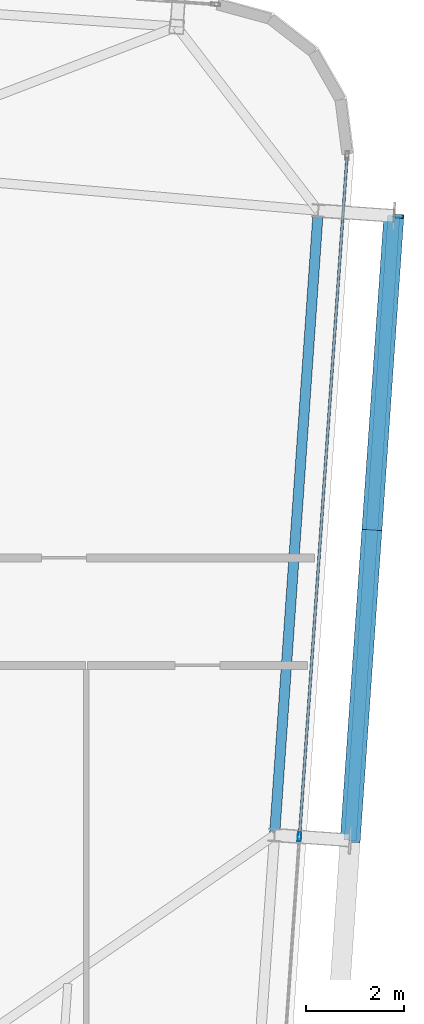
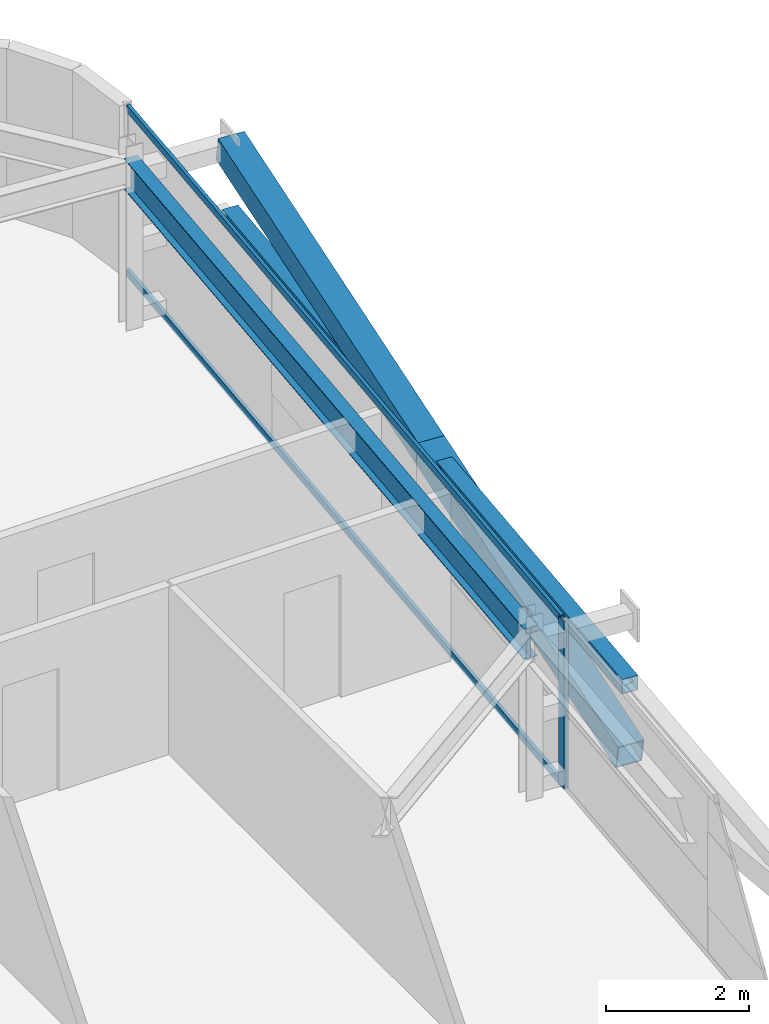
# One storey, part 17 of 39: 6 members, 1 beam, 1 element without a shape of its own.
"""IFC4 building model written with IfcOpenShell, lengths in metres."""

from ifc_helpers import new_model, si_unit, direction, frame, origin, origin_2d, place, context, subcontext, project, spatial, hollow_rectangle, i_section, extrude, source, transform, mapped, material, layer, layer_set, material_profile, profile_set, type_object, element, aggregate, save


model = new_model("IFC4")

# Units and contexts
model_context = context("Model", 3, precision=1e-05, world=origin(), true_north=direction((0.0, 1.0)))
body_context = subcontext(model_context, "Body", "Model", "MODEL_VIEW")
ifc_project = project(units=[si_unit("LENGTHUNIT", "METRE"), si_unit("AREAUNIT", "SQUARE_METRE"), si_unit("VOLUMEUNIT", "CUBIC_METRE"), si_unit("PLANEANGLEUNIT", "RADIAN"), si_unit("MASSUNIT", "GRAM", prefix="KILO")], contexts=[model_context])

# Site, building, storey
site_placement = place(None, origin())
site = spatial("IfcSite", under=ifc_project, at=site_placement, CompositionType="ELEMENT")
building_placement = place(site_placement, origin())
building = spatial("IfcBuilding", under=site, at=building_placement, Name="Taldren Reach Tower", CompositionType="ELEMENT")
storey_placement = place(building_placement, frame((0.0, 0.0, 161.35009765625)))
storey = spatial("IfcBuildingStorey", under=building, at=storey_placement, Name="L49", CompositionType="ELEMENT", Elevation=161.35009765625)

# Beam
ifc_material_1 = material(Name="Steel Gr 350 (350PLUS)", Category="steel")
ifc_material_profile_1 = material_profile(ifc_material_1, i_section(OverallWidth=0.208984375, OverallDepth=0.528076171875, WebThickness=0.009521484375, FlangeThickness=0.01318359375, at=origin_2d()), Name="530UB82.0")
ifc_profile_set_1 = profile_set([ifc_material_profile_1], Name="Steel Gr 350 (350PLUS)")
beam_type = type_object("IfcBeamType", Name="SP-UB530B", PredefinedType="SPANDREL", material=ifc_profile_set_1)
shared_shape_1 = source(origin(), body_context, "Body", "SweptSolid", [
    extrude(i_section(OverallWidth=0.208984375, OverallDepth=0.528076171875, WebThickness=0.009521484375, FlangeThickness=0.01318359375, at=origin_2d()), origin(), (0.0, 0.0, 1.0), 12.800048828125),
])
beam_placement = place(storey_placement, frame((60.438232421875, 18.331787109375, 2.60595703125), z_axis=(0.069751876777, 0.9975643717, 0.0), x_axis=(-0.9975643717, 0.069751876777, 0.0)))
element("IfcBeam", 1, at=beam_placement, inside=storey, type_object=beam_type, Name="Perimeter spandrel B3 E2-E3 L49", PredefinedType="SPANDREL", context=body_context, shape_type="MappedRepresentation", body=[
    mapped(shared_shape_1, transform((0.0, 0.0, 0.0), scale=1.0)),
])

# Members
ifc_material_2 = material(Name="Steel Gr 350 (C350L0)", Category="steel")
ifc_material_profile_2 = material_profile(ifc_material_2, hollow_rectangle(XDim=0.25, YDim=0.25, WallThickness=0.010009765625, at=origin_2d()), Name="250x250x10.0SHS")
ifc_profile_set_2 = profile_set([ifc_material_profile_2], Name="Steel Gr 350 (C350L0)")
member_type_1 = type_object("IfcMemberType", Name="MB-POST250", PredefinedType="POST", material=ifc_profile_set_2)
shared_shape_2 = source(origin(), body_context, "Body", "SweptSolid", [
    extrude(hollow_rectangle(XDim=0.25, YDim=0.25, WallThickness=0.010009765625, at=origin_2d()), origin(), (0.0, 0.0, 1.0), 12.800048828125),
])
member_1_placement = place(storey_placement, frame((61.984375, 18.2236328125, 1.40478515625), z_axis=(0.069770857464, 0.997563044348, 0.0), x_axis=(-0.997563044348, 0.069770857464, 0.0)))
element("IfcMember", 2, at=member_1_placement, inside=storey, type_object=member_type_1, Name="Exoskeleton mid-height ring chord B3-E2 L49", PredefinedType="POST", context=body_context, shape_type="MappedRepresentation", body=[
    mapped(shared_shape_2, transform((0.0, 0.0, 0.0), scale=1.0)),
])
ifc_material_3 = material(Name="Steel Gr 450 (C450L0)", Category="steel")
ifc_material_profile_3 = material_profile(ifc_material_3, hollow_rectangle(XDim=0.409912109375, YDim=0.409912109375, WallThickness=0.01611328125, at=origin_2d()), Name="410x410x16.0SHS")
ifc_profile_set_3 = profile_set([ifc_material_profile_3], Name="Steel Gr 450 (C450L0)")
member_type_2 = type_object("IfcMemberType", Name="MB-EXO406", PredefinedType="BRACE", material=ifc_profile_set_3)
shared_shape_3 = source(origin(), body_context, "Body", "SweptSolid", [
    extrude(hollow_rectangle(XDim=0.409912109375, YDim=0.409912109375, WallThickness=0.01611328125, at=origin_2d()), origin(), (0.0, 0.0, 1.0), 6.5087890625),
])
member_2_placement = place(storey_placement, frame((62.430908203125, 24.60791015625, 1.40478515625), z_axis=(0.06860340807, 0.980889953217, 0.182067218573), x_axis=(-0.997563137195, 0.069769529958, 0.0)))
element("IfcMember", 3, at=member_2_placement, inside=storey, type_object=member_type_2, Name="Exoskeleton Diagrid Brace B3-E2 L49", PredefinedType="BRACE", context=body_context, shape_type="MappedRepresentation", body=[
    mapped(shared_shape_3, transform((0.0, 0.0, 0.0), scale=1.0)),
])
shared_shape_4 = source(origin(), body_context, "Body", "SweptSolid", [
    extrude(hollow_rectangle(XDim=0.409912109375, YDim=0.409912109375, WallThickness=0.01611328125, at=origin_2d()), origin(), (0.0, 0.0, 1.0), 6.508544921875),
])
member_3_placement = place(storey_placement, frame((61.984375, 18.2236328125, 0.219970703125), z_axis=(0.068606400719, 0.980895231712, 0.182037650459), x_axis=(-0.997562951496, 0.069772185021, 0.0)))
element("IfcMember", 4, at=member_3_placement, inside=storey, type_object=member_type_2, Name="Exoskeleton Diagrid Brace B3-E2 L49", PredefinedType="BRACE", context=body_context, shape_type="MappedRepresentation", body=[
    mapped(shared_shape_4, transform((0.0, 0.0, 0.0), scale=1.0)),
])

# Curtain wall, members
ifc_material_4 = material(Name="Aluminium and Low-E Glass Unitised System", Category="aluminium")
ifc_layer = layer(ifc_material_4, 0.159912109375)
ifc_layer_set = layer_set([ifc_layer], Name="Aluminium and Low-E Glass Unitised System")
curtain_wall_type = type_object("IfcCurtainWallType", Name="CW-SYS-4", PredefinedType="NOTDEFINED", material=ifc_layer_set)
curtain_wall_placement = place(storey_placement, origin())
curtain_wall = element("IfcCurtainWall", 5, at=curtain_wall_placement, inside=storey, type_object=curtain_wall_type, Name="Unitised curtain wall CW-L49-E", PredefinedType="NOTDEFINED")
ifc_material_5 = material(Name="Anodised Aluminium 6063-T6", Category="aluminium")
ifc_material_profile_4 = material_profile(ifc_material_5, hollow_rectangle(XDim=0.054931640625, YDim=0.1201171875, WallThickness=0.0029296875, at=origin_2d()), Name="ALU-120x55x3RHS")
ifc_profile_set_4 = profile_set([ifc_material_profile_4], Name="Anodised Aluminium 6063-T6")
member_type_3 = type_object("IfcMemberType", Name="CW-TRN-135", PredefinedType="USERDEFINED", material=ifc_profile_set_4)
shared_shape_5 = source(origin(), body_context, "Body", "SweptSolid", [
    extrude(hollow_rectangle(XDim=0.054931640625, YDim=0.1201171875, WallThickness=0.0029296875, at=origin_2d()), origin(), (0.0, 0.0, 1.0), 13.89501953125),
])
member_4_placement = place(storey_placement, frame((60.949462890625, 18.3310546875, 0.02734375), z_axis=(0.069754817075, 0.997564166104, 0.0), x_axis=(-0.997564166104, 0.069754817075, 0.0)))
member_4 = element("IfcMember", 6, at=member_4_placement, type_object=member_type_3, Name="CW-4 transom 2.1", ObjectType="TRANSOM", PredefinedType="USERDEFINED", context=body_context, shape_type="MappedRepresentation", body=[
    mapped(shared_shape_5, transform((0.0, 0.0, 0.0), scale=1.0)),
])
member_5_placement = place(storey_placement, frame((60.949462890625, 18.3310546875, 2.84228515625), z_axis=(0.069754817075, 0.997564166104, 0.0), x_axis=(-0.997564166104, 0.069754817075, 0.0)))
member_5 = element("IfcMember", 7, at=member_5_placement, type_object=member_type_3, Name="CW-4 transom 2.2", ObjectType="TRANSOM", PredefinedType="USERDEFINED", context=body_context, shape_type="MappedRepresentation", body=[
    mapped(shared_shape_5, transform((0.0, 0.0, 0.0), scale=1.0)),
])
ifc_material_profile_5 = material_profile(ifc_material_5, hollow_rectangle(XDim=0.070068359375, YDim=0.179931640625, WallThickness=0.00390625, at=origin_2d()), Name="ALU-180x70x4RHS")
ifc_profile_set_5 = profile_set([ifc_material_profile_5], Name="Anodised Aluminium 6063-T6")
member_type_4 = type_object("IfcMemberType", Name="CW-MUL-180", PredefinedType="MULLION", material=ifc_profile_set_5)
shared_shape_6 = source(origin(), body_context, "Body", "SweptSolid", [
    extrude(hollow_rectangle(XDim=0.070068359375, YDim=0.179931640625, WallThickness=0.00390625, at=origin_2d()), origin(), (0.0, 0.0, 1.0), 2.869873046875),
])
member_6_placement = place(storey_placement, frame((60.947021484375, 18.296142578125, 0.0), z_axis=(0.0, 0.0, 1.0), x_axis=(-0.997564052812, 0.069756437251, 0.0)))
member_6 = element("IfcMember", 8, at=member_6_placement, type_object=member_type_4, Name="CW-4 mullion 2", PredefinedType="MULLION", context=body_context, shape_type="MappedRepresentation", body=[
    mapped(shared_shape_6, transform((0.0, 0.0, 0.0), scale=1.0)),
])
aggregate(curtain_wall, [member_6, member_4, member_5])

save(model, "model.ifc")
